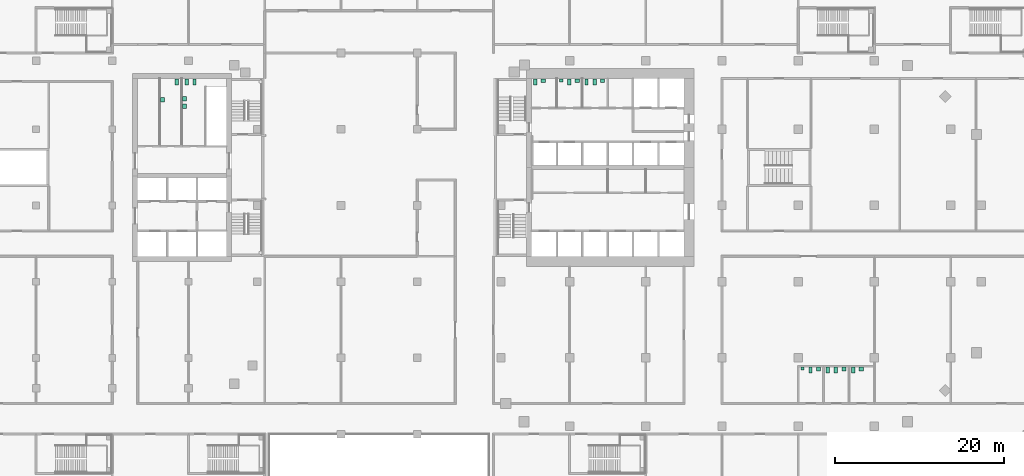
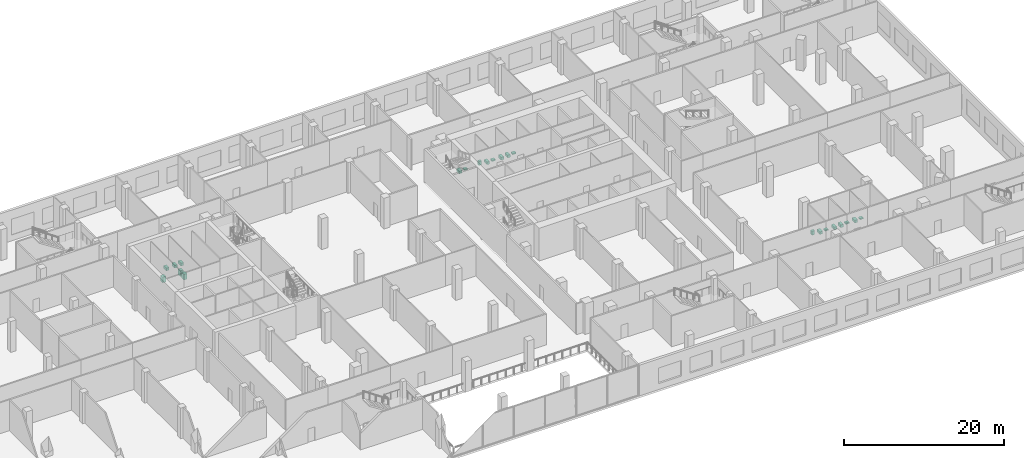
# One storey, part 23 of 23: 22 sanitary terminals.
"""IFC4 building model written with IfcOpenShell, lengths in metres."""

from ifc_helpers import new_model, si_unit, direction, frame, origin, origin_2d, place, context, subcontext, project, spatial, rectangle, extrude, material, type_object, element, save


model = new_model("IFC4")

# Units and contexts
model_context = context("Model", 3, precision=1e-05, world=origin(), true_north=direction((0.0, 1.0)))
body_context = subcontext(model_context, "Body", "Model", "MODEL_VIEW")
ifc_project = project(units=[si_unit("LENGTHUNIT", "METRE"), si_unit("AREAUNIT", "SQUARE_METRE"), si_unit("VOLUMEUNIT", "CUBIC_METRE"), si_unit("PLANEANGLEUNIT", "RADIAN"), si_unit("MASSUNIT", "GRAM", prefix="KILO")], contexts=[model_context])

# Site, building, storey
site_placement = place(None, origin())
site = spatial("IfcSite", under=ifc_project, at=site_placement, CompositionType="ELEMENT")
building_placement = place(site_placement, origin())
building = spatial("IfcBuilding", under=site, at=building_placement, Name="Cinnabar Reach Civic Tower", CompositionType="ELEMENT")
storey_placement = place(building_placement, frame((0.0, 0.0, 6.0)))
storey = spatial("IfcBuildingStorey", under=building, at=storey_placement, Name="L01", CompositionType="ELEMENT", Elevation=6.0)

# Sanitary terminals
ifc_material = material(Name="Vitreous china")
sanitary_terminal_type_1 = type_object("IfcSanitaryTerminalType", Name="T1 WC pan", PredefinedType="TOILETPAN", material=ifc_material)
for number, where, z_axis, x_axis, name in (
    (1, (37.45, 7.55, 0.0), (0.0, 0.0, 1.0), (1.0, 0.0, 0.0), "T1 WC pan 0149-2"),
    (2, (39.5, 7.55, 0.0), (0.0, 0.0, 1.0), (1.0, 0.0, 0.0), "T1 WC pan 0150-1"),
    (3, (40.45, 7.55, 0.0), (0.0, 0.0, 1.0), (1.0, 0.0, 0.0), "T1 WC pan 0150-2"),
    (4, (42.5, 7.55, 0.0), (0.0, 0.0, 1.0), (1.0, 0.0, 0.0), "T1 WC pan 0151-1"),
    (5, (4.95, 41.6, 0.0), (0.0, 0.0, 1.0), (1.0, 0.0, 0.0), "T1 WC pan 0107-1"),
    (6, (8.95, 41.6, 0.0), (0.0, 0.0, 1.0), (1.0, 0.0, 0.0), "T1 WC pan 0108-2"),
    (7, (11.0, 41.6, 0.0), (0.0, 0.0, 1.0), (1.0, 0.0, 0.0), "T1 WC pan 0109-1"),
    (8, (11.95, 41.6, 0.0), (0.0, 0.0, 1.0), (1.0, 0.0, 0.0), "T1 WC pan 0109-2"),
):
    element("IfcSanitaryTerminal", number, at=place(storey_placement, frame(where, z_axis=z_axis, x_axis=x_axis)), inside=storey, type_object=sanitary_terminal_type_1, Name=name, PredefinedType="TOILETPAN", context=body_context, shape_type="SweptSolid", body=[
        extrude(rectangle(XDim=0.4, YDim=0.7, at=origin_2d()), origin(), (0.0, 0.0, 1.0), 0.4),
    ])
sanitary_terminal_type_2 = type_object("IfcSanitaryTerminalType", Name="T1 urinal", PredefinedType="URINAL", material=ifc_material)
for number, where, z_axis, x_axis, name in (
    (9, (36.5, 7.725, 0.0), (0.0, 0.0, 1.0), (1.0, 0.0, 0.0), "T1 urinal 0149-1"),
    (10, (8.0, 41.775, 0.0), (0.0, 0.0, 1.0), (1.0, 0.0, 0.0), "T1 urinal 0108-1"),
):
    element("IfcSanitaryTerminal", number, at=place(storey_placement, frame(where, z_axis=z_axis, x_axis=x_axis)), inside=storey, type_object=sanitary_terminal_type_2, Name=name, PredefinedType="URINAL", context=body_context, shape_type="SweptSolid", body=[
        extrude(rectangle(XDim=0.4, YDim=0.35, at=origin_2d()), origin(), (0.0, 0.0, 1.0), 0.6),
    ])
sanitary_terminal_type_3 = type_object("IfcSanitaryTerminalType", Name="T1 wash basin", PredefinedType="WASHHANDBASIN", material=ifc_material)
for number, where, z_axis, x_axis, name in (
    (11, (38.4, 7.69, 0.0), (0.0, 0.0, 1.0), (1.0, 0.0, 0.0), "T1 wash basin 0149-3"),
    (12, (41.4, 7.69, 0.0), (0.0, 0.0, 1.0), (1.0, 0.0, 0.0), "T1 wash basin 0150-3"),
    (13, (43.45, 7.69, 0.0), (0.0, 0.0, 1.0), (1.0, 0.0, 0.0), "T1 wash basin 0151-2"),
    (14, (5.9, 41.74, 0.0), (0.0, 0.0, 1.0), (1.0, 0.0, 0.0), "T1 wash basin 0107-2"),
    (15, (9.9, 41.74, 0.0), (0.0, 0.0, 1.0), (1.0, 0.0, 0.0), "T1 wash basin 0108-3"),
    (16, (12.9, 41.74, 0.0), (0.0, 0.0, 1.0), (1.0, 0.0, 0.0), "T1 wash basin 0109-3"),
):
    element("IfcSanitaryTerminal", number, at=place(storey_placement, frame(where, z_axis=z_axis, x_axis=x_axis)), inside=storey, type_object=sanitary_terminal_type_3, Name=name, PredefinedType="WASHHANDBASIN", context=body_context, shape_type="SweptSolid", body=[
        extrude(rectangle(XDim=0.5, YDim=0.42, at=origin_2d()), origin(), (0.0, 0.0, 1.0), 0.2),
    ])
sanitary_terminal_type_4 = type_object("IfcSanitaryTerminalType", Name="T2 WC pan", PredefinedType="TOILETPAN", material=ifc_material)
for number, where, z_axis, x_axis, name in (
    (17, (-37.4, 41.6, 0.0), (0.0, 0.0, 1.0), (1.0, 0.0, 0.0), "WC pan"),
    (18, (-36.2, 41.6, 0.0), (0.0, 0.0, 1.0), (1.0, 0.0, 0.0), "WC pan"),
    (19, (-35.3, 41.6, 0.0), (0.0, 0.0, 1.0), (1.0, 0.0, 0.0), "WC pan"),
):
    element("IfcSanitaryTerminal", number, at=place(storey_placement, frame(where, z_axis=z_axis, x_axis=x_axis)), inside=storey, type_object=sanitary_terminal_type_4, Name=name, PredefinedType="TOILETPAN", context=body_context, shape_type="SweptSolid", body=[
        extrude(rectangle(XDim=0.4, YDim=0.7, at=origin_2d()), origin(), (0.0, 0.0, 1.0), 0.42),
    ])
sanitary_terminal_type_5 = type_object("IfcSanitaryTerminalType", Name="T2 Wash basin", PredefinedType="WASHHANDBASIN", material=ifc_material)
for number, where, z_axis, x_axis, name in (
    (20, (-39.075, 39.5, 0.0), (0.0, 0.0, 1.0), (1.0, 0.0, 0.0), "Wash basin"),
    (21, (-36.475, 39.6, 0.0), (0.0, 0.0, 1.0), (1.0, 0.0, 0.0), "Wash basin"),
    (22, (-36.475, 38.7, 0.0), (0.0, 0.0, 1.0), (1.0, 0.0, 0.0), "Wash basin"),
):
    element("IfcSanitaryTerminal", number, at=place(storey_placement, frame(where, z_axis=z_axis, x_axis=x_axis)), inside=storey, type_object=sanitary_terminal_type_5, Name=name, PredefinedType="WASHHANDBASIN", context=body_context, shape_type="SweptSolid", body=[
        extrude(rectangle(XDim=0.45, YDim=0.55, at=origin_2d()), origin(), (0.0, 0.0, 1.0), 0.85),
    ])

save(model, "model.ifc")
